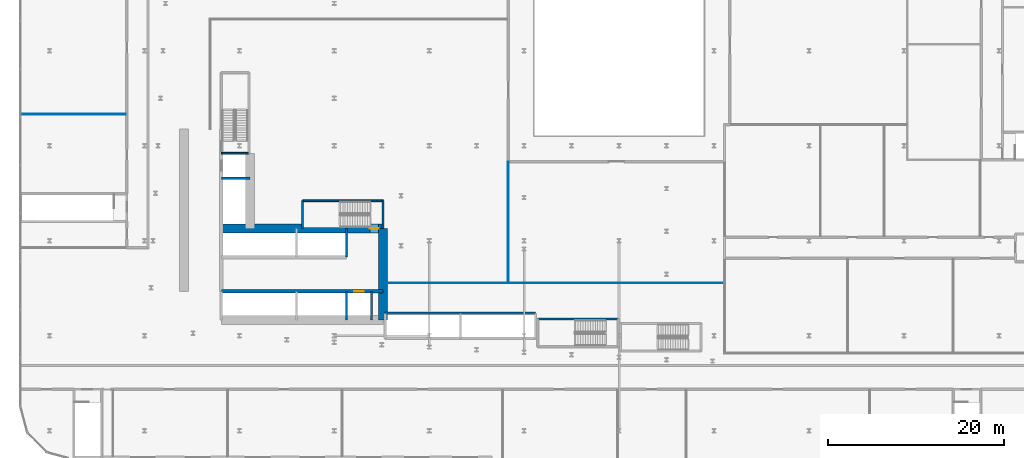
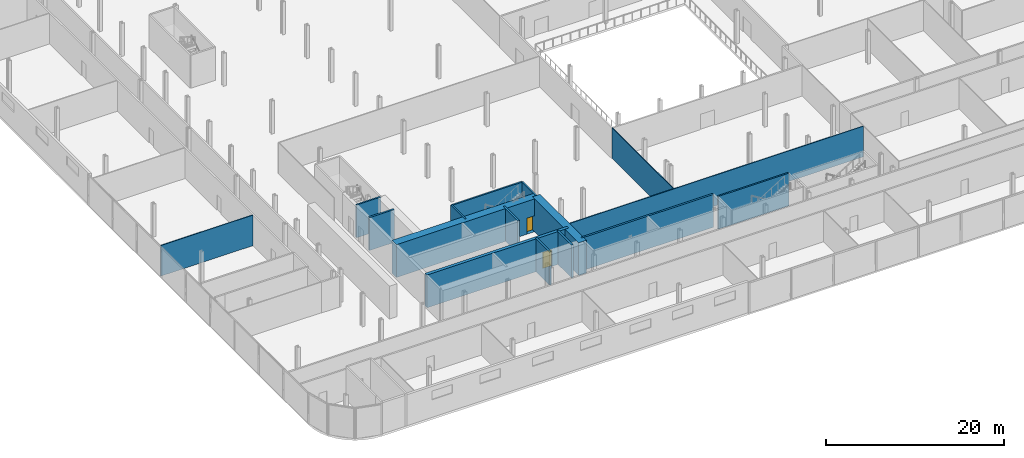
# One storey, part 29 of 43: 16 walls, 2 doors, 2 openings.
"""IFC4 building model written with IfcOpenShell, lengths in metres."""

import ifcopenshell
import ifcopenshell.guid

model = None  # the IFC model being written
_history = None  # IfcOwnerHistory: only IFC2X3 demands one
_inside = {}  # id of a spatial element -> (the spatial element, [elements in it])
_under = {}  # id of a project, library or spatial element -> (it, [spatial elements below it])
_declared = {}  # id of a project -> (the project, [libraries it declares])
_typed = {}  # id of a type object -> (the type object, [elements of that type])
_made_of = {}  # id of a material, layer set ... -> (it, [elements and type objects made of it])


def new_model(schema):
    """Start an empty IFC model of exactly this schema.

    Asked for "IFC4X3", IfcOpenShell would pick the latest addendum, in which some entities
    have other attributes; the version numbers below select the first issue.
    IFC2X3 requires an IfcOwnerHistory on every rooted entity: one is made here for all.
    """
    global model, _history
    if schema == "IFC4X3":
        model = ifcopenshell.file(schema_version=(4, 3, 0, 0))
    else:
        model = ifcopenshell.file(schema=schema)
    _inside.clear()
    _under.clear()
    _declared.clear()
    _typed.clear()
    _made_of.clear()
    _history = None
    if model.schema == "IFC2X3":
        org = make("IfcOrganization", Name="unknown")
        user = make(
            "IfcPersonAndOrganization",
            ThePerson=make("IfcPerson", FamilyName="unknown"),
            TheOrganization=org,
        )
        app = make(
            "IfcApplication",
            ApplicationDeveloper=org,
            Version="unknown",
            ApplicationFullName="unknown",
            ApplicationIdentifier="unknown",
        )
        _history = make(
            "IfcOwnerHistory",
            OwningUser=user,
            OwningApplication=app,
            ChangeAction="ADDED",
            CreationDate=0,
        )
    return model


def make(cls, **values):
    """One entity of the class cls with the attributes given. An attribute that is None is left unset."""
    return model.create_entity(
        cls, **{name: value for name, value in values.items() if value is not None}
    )


def rooted(cls, **values):
    """An entity with a GlobalId (a new one), such as an element, a storey or a relation."""
    return make(cls, GlobalId=ifcopenshell.guid.new(), OwnerHistory=_history, **values)


def si_unit(unit_type, name, prefix=None):
    """IfcSIUnit, for example si_unit("LENGTHUNIT", "METRE", prefix="MILLI")."""
    return make("IfcSIUnit", UnitType=unit_type, Prefix=prefix, Name=name)


def assignment(units):
    """IfcUnitAssignment: the units of a project."""
    return None if units is None else make("IfcUnitAssignment", Units=units)


def point(xyz):
    """IfcCartesianPoint."""
    return None if xyz is None else make("IfcCartesianPoint", Coordinates=xyz)


def direction(xyz):
    """IfcDirection."""
    return None if xyz is None else make("IfcDirection", DirectionRatios=xyz)


def frame(location, z_axis=None, x_axis=None):
    """IfcAxis2Placement3D, a coordinate frame: its origin and axes. An axis left out is left unset."""
    return make(
        "IfcAxis2Placement3D",
        Location=point(location),
        Axis=direction(z_axis),
        RefDirection=direction(x_axis),
    )


def frame_2d(location, x_axis=None):
    """IfcAxis2Placement2D, a coordinate frame in the plane: its origin and x axis."""
    return make(
        "IfcAxis2Placement2D", Location=point(location), RefDirection=direction(x_axis)
    )


def origin():
    """The frame at (0, 0, 0) with its axes left unset."""
    return frame((0.0, 0.0, 0.0))


def place(relative_to, where):
    """IfcLocalPlacement: puts the frame where relative to a parent placement (None: the world)."""
    return make(
        "IfcLocalPlacement", PlacementRelTo=relative_to, RelativePlacement=where
    )


def context(
    kind, dimensions, precision=None, world=None, true_north=None, identifier=None
):
    """IfcGeometricRepresentationContext, for example the 3D "Model" context."""
    return make(
        "IfcGeometricRepresentationContext",
        ContextIdentifier=identifier,
        ContextType=kind,
        CoordinateSpaceDimension=dimensions,
        Precision=precision,
        WorldCoordinateSystem=world,
        TrueNorth=true_north,
    )


def subcontext(parent, identifier, kind, view, scale=None):
    """IfcGeometricRepresentationSubContext, for example "Body" below "Model"."""
    return make(
        "IfcGeometricRepresentationSubContext",
        ContextIdentifier=identifier,
        ContextType=kind,
        ParentContext=parent,
        TargetScale=scale,
        TargetView=view,
    )


def project(units=None, contexts=None):
    """IfcProject with its units and contexts."""
    return rooted(
        "IfcProject",
        Name="project",
        RepresentationContexts=contexts,
        UnitsInContext=assignment(units),
    )


def spatial(cls, under=None, at=None, **own):
    """A site, building, storey or space (cls), placed at a placement, below another one or the project."""
    s = rooted(cls, ObjectPlacement=at, **own)
    if under is not None:
        _under.setdefault(under.id(), (under, []))[1].append(s)
    return s


def profile(cls, at=None, kind="AREA", **sizes):
    """A parametric profile (cls). Its sizes go by their IFC names, for example OverallWidth=200.0."""
    return make(cls, ProfileType=kind, Position=at, **sizes)


def rectangle(**sizes):
    """IfcRectangleProfileDef."""
    return profile("IfcRectangleProfileDef", **sizes)


def extrude(swept, where, along, depth):
    """IfcExtrudedAreaSolid: the profile swept, set in the frame where, extruded along a direction by depth."""
    return make(
        "IfcExtrudedAreaSolid",
        SweptArea=swept,
        Position=where,
        ExtrudedDirection=direction(along),
        Depth=depth,
    )


def shape(context_of_items, identifier, shape_type, items):
    """IfcShapeRepresentation: the items that make up one representation, for example the "Body"."""
    return make(
        "IfcShapeRepresentation",
        ContextOfItems=context_of_items,
        RepresentationIdentifier=identifier,
        RepresentationType=shape_type,
        Items=items,
    )


def source(mapping_origin, context_of_items, identifier, shape_type, items):
    """IfcRepresentationMap: a shape defined once, which mapped items show again and again."""
    return make(
        "IfcRepresentationMap",
        MappingOrigin=mapping_origin,
        MappedRepresentation=shape(context_of_items, identifier, shape_type, items),
    )


def transform(
    local_origin,
    x_axis=None,
    y_axis=None,
    z_axis=None,
    scale=None,
    scale2=None,
    scale3=None,
    uniform=True,
):
    """IfcCartesianTransformationOperator3D, or its non-uniform kind. x_axis, y_axis, z_axis: its Axis1, 2, 3."""
    if uniform:
        return make(
            "IfcCartesianTransformationOperator3D",
            Axis1=direction(x_axis),
            Axis2=direction(y_axis),
            LocalOrigin=point(local_origin),
            Scale=scale,
            Axis3=direction(z_axis),
        )
    return make(
        "IfcCartesianTransformationOperator3DnonUniform",
        Axis1=direction(x_axis),
        Axis2=direction(y_axis),
        LocalOrigin=point(local_origin),
        Scale=scale,
        Axis3=direction(z_axis),
        Scale2=scale2,
        Scale3=scale3,
    )


def mapped(mapping_source, mapping_target):
    """IfcMappedItem: shows the shape of a source again, moved by a transform."""
    return make(
        "IfcMappedItem", MappingSource=mapping_source, MappingTarget=mapping_target
    )


def material(Name=None, Category=None):
    """IfcMaterial."""
    return make("IfcMaterial", Name=Name, Category=Category)


def layer(
    of_material, thickness, ventilated=None, Name=None, Category=None, Priority=None
):
    """IfcMaterialLayer: one layer of a wall or slab, of a material (None: an air gap)."""
    return make(
        "IfcMaterialLayer",
        Material=of_material,
        LayerThickness=thickness,
        IsVentilated=ventilated,
        Name=Name,
        Category=Category,
        Priority=Priority,
    )


def layer_set(layers, Name=None):
    """IfcMaterialLayerSet."""
    return make("IfcMaterialLayerSet", MaterialLayers=layers, LayerSetName=Name)


def made_of(thing, what):
    """Note that an element or type object is made of a material, layer set ...; save() writes the relation."""
    if what is not None:
        _made_of.setdefault(what.id(), (what, []))[1].append(thing)
    return thing


def type_object(cls, material=None, **own):
    """A type object (cls), such as IfcWallType, which elements share."""
    return made_of(rooted(cls, **own), material)


def element(
    cls,
    number,
    at=None,
    inside=None,
    cuts=None,
    type_object=None,
    material=None,
    context=None,
    identifier="Body",
    shape_type=None,
    held_by="IfcProductDefinitionShape",
    body=None,
    shapes=None,
    **own,
):
    """One element of the class cls, such as IfcWall. Its Tag is "e" and its number.

    at: its placement. inside: the storey or other place that contains it. cuts: it is an
    opening in that element (IfcRelVoidsElement). A single representation is given by context,
    identifier, shape_type and body (its items); several are given by shapes. held_by: the class
    of the entity that holds the representations. save() writes the other relations.
    """
    e = rooted(cls, Tag="e%d" % number, ObjectPlacement=at, **own)
    if body is not None:
        shapes = [shape(context, identifier, shape_type, body)]
    if shapes is not None:
        e.Representation = make(held_by, Representations=shapes)
    if inside is not None:
        _inside.setdefault(inside.id(), (inside, []))[1].append(e)
    if cuts is not None:
        rooted(
            "IfcRelVoidsElement", RelatingBuildingElement=cuts, RelatedOpeningElement=e
        )
    if type_object is not None:
        _typed.setdefault(type_object.id(), (type_object, []))[1].append(e)
    return made_of(e, material)


def fill(opening, filler):
    """IfcRelFillsElement: the door or window that sits in an opening."""
    return rooted(
        "IfcRelFillsElement",
        RelatingOpeningElement=opening,
        RelatedBuildingElement=filler,
    )


def aggregate(whole, parts):
    """IfcRelAggregates: a whole, such as a stair, and the parts it consists of."""
    return rooted("IfcRelAggregates", RelatingObject=whole, RelatedObjects=parts)


def save(model, path):
    """Write the relations noted so far, then the file.

    IfcRelAggregates (storeys below a building ...), IfcRelContainedInSpatialStructure (elements
    in a storey), IfcRelDefinesByType, IfcRelAssociatesMaterial and IfcRelDeclares: one each for
    every whole, place, type object, material and project.
    """
    for whole, parts in _under.values():
        aggregate(whole, parts)
    for where, things in _inside.values():
        rooted(
            "IfcRelContainedInSpatialStructure",
            RelatedElements=things,
            RelatingStructure=where,
        )
    for kind, things in _typed.values():
        rooted("IfcRelDefinesByType", RelatedObjects=things, RelatingType=kind)
    for what, things in _made_of.values():
        rooted("IfcRelAssociatesMaterial", RelatedObjects=things, RelatingMaterial=what)
    for by, libraries in _declared.values():
        rooted("IfcRelDeclares", RelatingContext=by, RelatedDefinitions=libraries)
    model.write(path)


model = new_model("IFC4")

# Units and contexts
model_context = context("Model", 3, precision=1e-05, world=origin(), true_north=direction((0.0, 1.0)))
body_context = subcontext(model_context, "Body", "Model", "MODEL_VIEW")
ifc_project = project(units=[si_unit("LENGTHUNIT", "METRE"), si_unit("AREAUNIT", "SQUARE_METRE"), si_unit("VOLUMEUNIT", "CUBIC_METRE"), si_unit("PLANEANGLEUNIT", "RADIAN"), si_unit("MASSUNIT", "GRAM", prefix="KILO")], contexts=[model_context])

# Site, building, storey
site_placement = place(None, origin())
site = spatial("IfcSite", under=ifc_project, at=site_placement, CompositionType="ELEMENT")
building_placement = place(site_placement, origin())
building = spatial("IfcBuilding", under=site, at=building_placement, Name="Kheshtan School and Residences Tower", CompositionType="ELEMENT")
storey_placement = place(building_placement, frame((0.0, 0.0, 26.0)))
storey = spatial("IfcBuildingStorey", under=building, at=storey_placement, Name="L05", CompositionType="ELEMENT", Elevation=26.0)

# Wall, opening, door
ifc_material_1 = material(Name="Concrete C80/95", Category="concrete")
ifc_layer_1 = layer(ifc_material_1, 1.0)
ifc_layer_set_1 = layer_set([ifc_layer_1], Name="Core wall 1000 Concrete C80/95")
wall_type_1 = type_object("IfcWallType", Name="Core wall 1000 Concrete C80/95", PredefinedType="SHEAR", material=ifc_layer_set_1)
wall_1_placement = place(storey_placement, frame((34.75, 36.199951171875, 0.0), z_axis=(0.0, 0.0, 1.0), x_axis=(1.0, 0.0, 0.0)))
wall_1 = element("IfcWall", 1, at=wall_1_placement, inside=storey, type_object=wall_type_1, Name="Core wall CW-FRONT-S", PredefinedType="SHEAR", context=body_context, shape_type="SweptSolid", body=[
    extrude(rectangle(XDim=18.39990234375, YDim=1.0, at=frame_2d((9.199951171875, 0.0))), origin(), (0.0, 0.0, 1.0), 4.5),
])
opening_1_placement = place(wall_1_placement, frame((16.89990234375, 0.0, 0.0)))
opening_1 = element("IfcOpeningElement", 2, at=opening_1_placement, cuts=wall_1, Name="Opening ST1D", PredefinedType="OPENING", context=body_context, shape_type="SweptSolid", body=[
    extrude(rectangle(XDim=1.0, YDim=2.199951171875, at=frame_2d((0.5, 1.10009765625))), frame((0.0, 0.510009765625, 0.0), z_axis=(0.0, -1.0, 0.0), x_axis=(1.0, 0.0, 0.0)), (0.0, 0.0, 1.0), 1.02001953125),
])
ifc_material_2 = material(Name="Steel door leaf, galvanised", Category="steel")
door_type_1 = type_object("IfcDoorType", Name="Stair door 1100 steel 90 min", OperationType="SINGLE_SWING_LEFT", PredefinedType="DOOR", material=ifc_material_2)
shared_shape_1 = source(origin(), body_context, "Body", "SweptSolid", [
    extrude(rectangle(XDim=1.0, YDim=2.199951171875, at=frame_2d((0.5, 1.10009765625))), frame((0.0, 0.02490234375, 0.0), z_axis=(0.0, -1.0, 0.0), x_axis=(1.0, 0.0, 0.0)), (0.0, 0.0, 1.0), 0.050048828125),
])
door_1_placement = place(opening_1_placement, origin())
door_1 = element("IfcDoor", 3, at=door_1_placement, inside=storey, type_object=door_type_1, Name="Stair ST1 door", OperationType="SINGLE_SWING_RIGHT", OverallHeight=2.199951171875, OverallWidth=1.0, PredefinedType="DOOR", context=body_context, shape_type="MappedRepresentation", body=[
    mapped(shared_shape_1, transform((0.0, 0.0, 0.0), x_axis=(1.0, 0.0, 0.0), y_axis=(0.0, 1.0, 0.0), z_axis=(0.0, 0.0, 1.0), scale=1.0)),
])
fill(opening_1, door_1)

# Wall
wall_2_placement = place(storey_placement, frame((53.14990234375, 25.800048828125, 0.0), z_axis=(0.0, 0.0, 1.0), x_axis=(0.0, 1.0, 0.0)))
element("IfcWall", 4, at=wall_2_placement, inside=storey, type_object=wall_type_1, Name="Core wall CW-EAST", PredefinedType="SHEAR", context=body_context, shape_type="SweptSolid", body=[
    extrude(rectangle(XDim=10.39990234375, YDim=1.0, at=frame_2d((5.199951171875, 0.0))), origin(), (0.0, 0.0, 1.0), 4.5),
])

# Wall, opening, door
ifc_material_3 = material(Name="Concrete C50/60", Category="concrete")
ifc_layer_2 = layer(ifc_material_3, 0.39990234375)
ifc_layer_set_2 = layer_set([ifc_layer_2], Name="Core wall 400 Concrete C50/60")
wall_type_2 = type_object("IfcWallType", Name="Core wall 400 Concrete C50/60", PredefinedType="SHEAR", material=ifc_layer_set_2)
wall_3_placement = place(storey_placement, frame((34.75, 29.050048828125, 0.0), z_axis=(0.0, 0.0, 1.0), x_axis=(1.0, 0.0, 0.0)))
wall_3 = element("IfcWall", 5, at=wall_3_placement, inside=storey, type_object=wall_type_2, Name="Core wall CW-HALL-S1", PredefinedType="SHEAR", context=body_context, shape_type="SweptSolid", body=[
    extrude(rectangle(XDim=18.39990234375, YDim=0.39990234375, at=frame_2d((9.199951171875, 0.0))), origin(), (0.0, 0.0, 1.0), 4.5),
])
opening_2_placement = place(wall_3_placement, frame((15.125, 0.0, 0.0)))
opening_2 = element("IfcOpeningElement", 6, at=opening_2_placement, cuts=wall_3, Name="Opening LD", PredefinedType="OPENING", context=body_context, shape_type="SweptSolid", body=[
    extrude(rectangle(XDim=1.10009765625, YDim=2.199951171875, at=frame_2d((0.550048828125, 1.10009765625))), frame((0.0, 0.2099609375, 0.0), z_axis=(0.0, -1.0, 0.0), x_axis=(1.0, 0.0, 0.0)), (0.0, 0.0, 1.0), 0.419921875),
])
ifc_material_4 = material(Name="Stainless steel door leaves", Category="steel")
door_type_2 = type_object("IfcDoorType", Name="Lift landing door 1100", OperationType="SLIDING_TO_LEFT", PredefinedType="DOOR", material=ifc_material_4)
shared_shape_2 = source(origin(), body_context, "Body", "SweptSolid", [
    extrude(rectangle(XDim=1.10009765625, YDim=2.199951171875, at=frame_2d((0.550048828125, 1.10009765625))), frame((0.0, 0.02490234375, 0.0), z_axis=(0.0, -1.0, 0.0), x_axis=(1.0, 0.0, 0.0)), (0.0, 0.0, 1.0), 0.050048828125),
])
door_2_placement = place(opening_2_placement, origin())
door_2 = element("IfcDoor", 7, at=door_2_placement, inside=storey, type_object=door_type_2, Name="Lift FFL2 landing door", OperationType="SLIDING_TO_LEFT", OverallHeight=2.199951171875, OverallWidth=1.10009765625, PredefinedType="DOOR", context=body_context, shape_type="MappedRepresentation", body=[
    mapped(shared_shape_2, transform((0.0, 0.0, 0.0), x_axis=(1.0, 0.0, 0.0), y_axis=(0.0, 1.0, 0.0), z_axis=(0.0, 0.0, 1.0), scale=1.0)),
])
fill(opening_2, door_2)

# Walls
ifc_material_5 = material(Name="Gypsum board on steel studs", Category="steel")
ifc_layer_3 = layer(ifc_material_5, 0.10009765625)
ifc_layer_set_3 = layer_set([ifc_layer_3], Name="Gypsum partition 100")
wall_type_3 = type_object("IfcWallType", Name="Gypsum partition 100", PredefinedType="PARTITIONING", material=ifc_layer_set_3)
wall_4_placement = place(storey_placement, frame((12.0, 49.199951171875, 0.0), z_axis=(0.0, 0.0, 1.0), x_axis=(1.0, 0.0, 0.0)))
element("IfcWall", 8, at=wall_4_placement, inside=storey, type_object=wall_type_3, Name="Partition L05-004", PredefinedType="PARTITIONING", context=body_context, shape_type="SweptSolid", body=[
    extrude(rectangle(XDim=11.89990234375, YDim=0.10009765625, at=frame_2d((5.949951171875, 0.0))), origin(), (0.0, 0.0, 1.0), 4.199951171875),
])
wall_5_placement = place(storey_placement, frame((53.64892578125, 30.0, 0.0), z_axis=(0.0, 0.0, 1.0), x_axis=(1.0, 0.0, 0.0)))
element("IfcWall", 9, at=wall_5_placement, inside=storey, type_object=wall_type_3, Name="Partition L05-019", PredefinedType="PARTITIONING", context=body_context, shape_type="SweptSolid", body=[
    extrude(rectangle(XDim=38.301025390625, YDim=0.10009765625, at=frame_2d((19.150390625, 0.0))), origin(), (0.0, 0.0, 1.0), 4.199951171875),
])
wall_6_placement = place(storey_placement, frame((67.39990234375, 30.050048828125, 0.0), z_axis=(0.0, 0.0, 1.0), x_axis=(0.0, 1.0, 0.0)))
element("IfcWall", 10, at=wall_6_placement, inside=storey, type_object=wall_type_3, Name="Partition L05-029", PredefinedType="PARTITIONING", context=body_context, shape_type="SweptSolid", body=[
    extrude(rectangle(XDim=13.75, YDim=0.10009765625, at=frame_2d((6.875, 0.0))), origin(), (0.0, 0.0, 1.0), 4.199951171875),
])
ifc_material_6 = material(Name="Fire-board shaft wall system")
ifc_layer_4 = layer(ifc_material_6, 0.25)
ifc_layer_set_4 = layer_set([ifc_layer_4], Name="Shaft lining wall 250")
wall_type_4 = type_object("IfcWallType", Name="Shaft lining wall 250", PredefinedType="PARTITIONING", material=ifc_layer_set_4)
for number, where, z_axis, x_axis, name in (
    (11, (49.0, 25.800048828125, 0.0), (0.0, 0.0, 1.0), (0.0, 1.0, 0.0), "Shaft lining wall"),
    (12, (49.0, 32.949951171875, 0.0), (0.0, 0.0, 1.0), (0.0, 1.0, 0.0), "Shaft lining wall"),
    (13, (51.85009765625, 25.800048828125, 0.0), (0.0, 0.0, 1.0), (0.0, 1.0, 0.0), "Shaft lining wall"),
):
    element("IfcWall", number, at=place(storey_placement, frame(where, z_axis=z_axis, x_axis=x_axis)), inside=storey, type_object=wall_type_4, Name=name, PredefinedType="PARTITIONING", context=body_context, shape_type="SweptSolid", body=[
        extrude(rectangle(XDim=3.25, YDim=0.25, at=frame_2d((1.625, 0.0))), origin(), (0.0, 0.0, 1.0), 4.5),
    ])
wall_7_placement = place(storey_placement, frame((53.39990234375, 26.550048828125, 0.0), z_axis=(0.0, 0.0, 1.0), x_axis=(1.0, 0.0, 0.0)))
element("IfcWall", 14, at=wall_7_placement, inside=storey, type_object=wall_type_4, Name="Shaft lining wall", PredefinedType="PARTITIONING", context=body_context, shape_type="SweptSolid", body=[
    extrude(rectangle(XDim=17.10009765625, YDim=0.25, at=frame_2d((8.550048828125, 0.0))), origin(), (0.0, 0.0, 1.0), 4.5),
])
wall_8_placement = place(storey_placement, frame((34.75, 41.89990234375, 0.0), z_axis=(0.0, 0.0, 1.0), x_axis=(1.0, 0.0, 0.0)))
element("IfcWall", 15, at=wall_8_placement, inside=storey, type_object=wall_type_4, Name="Shaft lining wall", PredefinedType="PARTITIONING", context=body_context, shape_type="SweptSolid", body=[
    extrude(rectangle(XDim=3.25, YDim=0.25, at=frame_2d((1.625, 0.0))), origin(), (0.0, 0.0, 1.0), 4.5),
])
ifc_material_7 = material(Name="Concrete C40/50", Category="concrete")
ifc_layer_5 = layer(ifc_material_7, 0.199951171875)
ifc_layer_set_5 = layer_set([ifc_layer_5], Name="Stair enclosure wall 200 Concrete C40/50")
wall_type_5 = type_object("IfcWallType", Name="Stair enclosure wall 200 Concrete C40/50", PredefinedType="SHEAR", material=ifc_layer_set_5)
wall_9_placement = place(storey_placement, frame((43.989990234375, 39.35009765625, 0.0), z_axis=(0.0, 0.0, 1.0), x_axis=(1.0, 0.0, 0.0)))
element("IfcWall", 16, at=wall_9_placement, inside=storey, type_object=wall_type_5, Name="Stair enclosure wall ST1", PredefinedType="SHEAR", context=body_context, shape_type="SweptSolid", body=[
    extrude(rectangle(XDim=9.159912109375, YDim=0.199951171875, at=frame_2d((4.580078125, 0.0))), origin(), (0.0, 0.0, 1.0), 4.5),
])
for number, where, z_axis, x_axis, name in (
    (17, (43.989990234375, 36.199951171875, 0.0), (0.0, 0.0, 1.0), (0.0, 1.0, 0.0), "Stair enclosure wall ST1"),
    (18, (53.14990234375, 36.199951171875, 0.0), (0.0, 0.0, 1.0), (0.0, 1.0, 0.0), "Stair enclosure wall ST1"),
):
    element("IfcWall", number, at=place(storey_placement, frame(where, z_axis=z_axis, x_axis=x_axis)), inside=storey, type_object=wall_type_5, Name=name, PredefinedType="SHEAR", context=body_context, shape_type="SweptSolid", body=[
        extrude(rectangle(XDim=3.150146484375, YDim=0.199951171875, at=frame_2d((1.5751953125, 0.0))), origin(), (0.0, 0.0, 1.0), 4.5),
    ])
wall_10_placement = place(storey_placement, frame((34.75, 44.75, 0.0), z_axis=(0.0, 0.0, 1.0), x_axis=(1.0, 0.0, 0.0)))
element("IfcWall", 19, at=wall_10_placement, inside=storey, type_object=wall_type_5, Name="Stair enclosure wall ST2", PredefinedType="SHEAR", context=body_context, shape_type="SweptSolid", body=[
    extrude(rectangle(XDim=3.14990234375, YDim=0.199951171875, at=frame_2d((1.574951171875, 0.0))), origin(), (0.0, 0.0, 1.0), 4.5),
])
wall_11_placement = place(storey_placement, frame((70.75, 25.89990234375, 0.0), z_axis=(0.0, 0.0, 1.0), x_axis=(1.0, 0.0, 0.0)))
element("IfcWall", 20, at=wall_11_placement, inside=storey, type_object=wall_type_5, Name="Stair enclosure wall ST5", PredefinedType="SHEAR", context=body_context, shape_type="SweptSolid", body=[
    extrude(rectangle(XDim=9.159912109375, YDim=0.199951171875, at=frame_2d((4.580078125, 0.0))), origin(), (0.0, 0.0, 1.0), 4.5),
])

save(model, "model.ifc")
